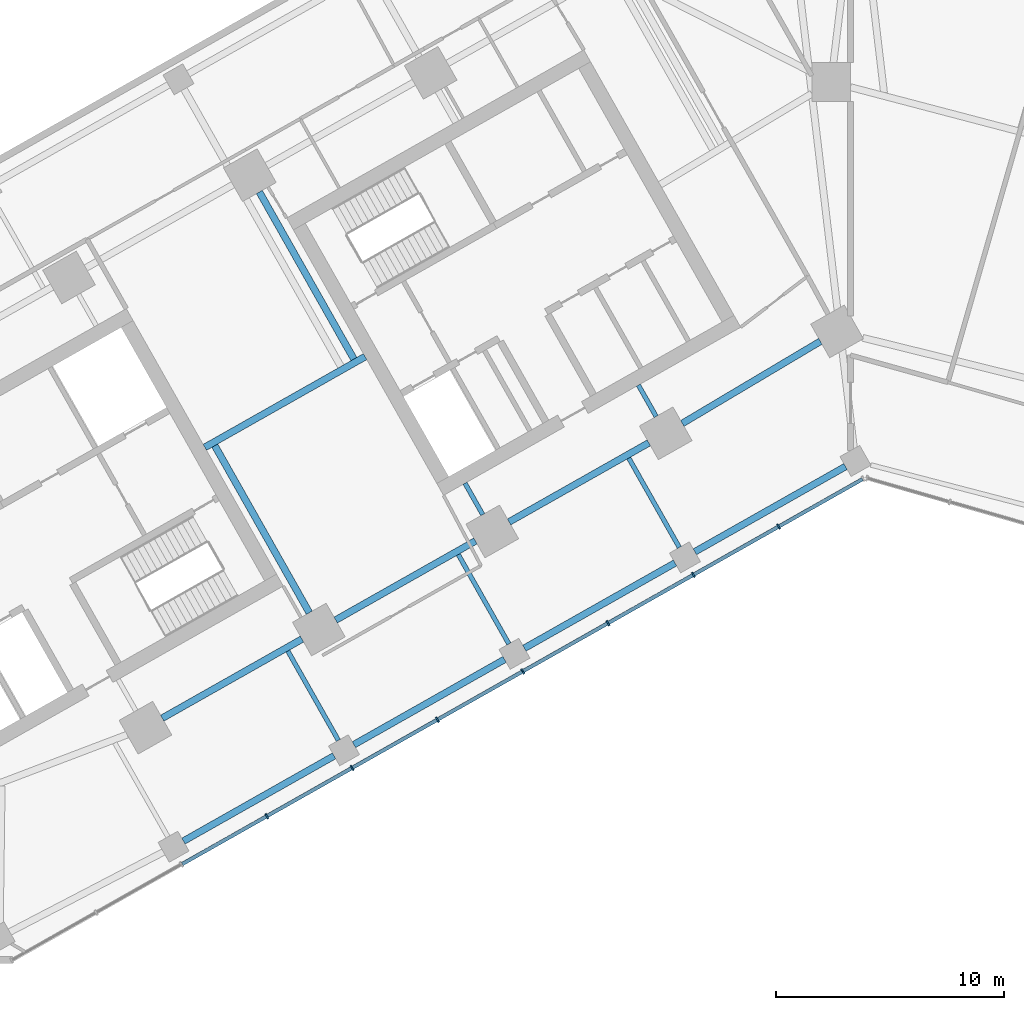
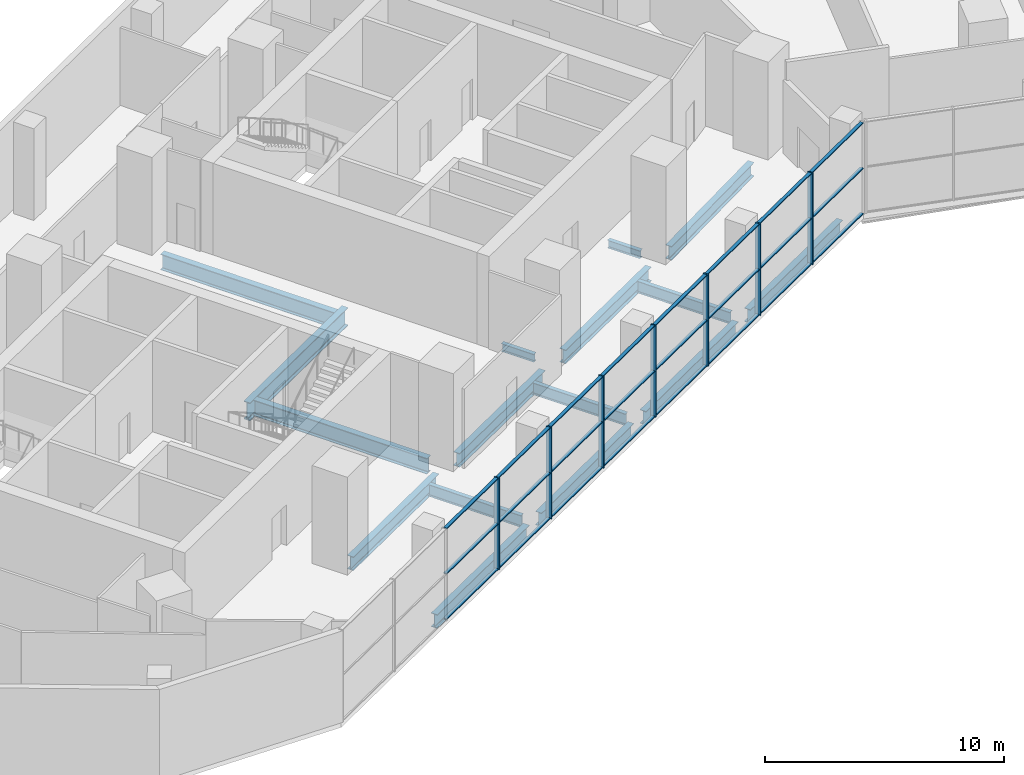
# One storey, part 3 of 16: 31 members, 16 beams, 1 element without a shape of its own.
"""IFC4 building model written with IfcOpenShell, lengths in metres."""

from ifc_helpers import new_model, si_unit, direction, frame, origin, origin_2d, place, context, subcontext, project, spatial, rectangle, i_section, extrude, material, material_profile, profile_set, type_object, element, aggregate, save


model = new_model("IFC4")

# Units and contexts
model_context = context("Model", 3, precision=1e-05, world=origin(), true_north=direction((0.0, 1.0)))
body_context = subcontext(model_context, "Body", "Model", "MODEL_VIEW")
ifc_project = project(units=[si_unit("LENGTHUNIT", "METRE"), si_unit("AREAUNIT", "SQUARE_METRE"), si_unit("VOLUMEUNIT", "CUBIC_METRE"), si_unit("PLANEANGLEUNIT", "RADIAN"), si_unit("MASSUNIT", "GRAM", prefix="KILO")], contexts=[model_context])

# Site, building, storey
site_placement = place(None, origin())
site = spatial("IfcSite", under=ifc_project, at=site_placement, CompositionType="ELEMENT")
building_placement = place(site_placement, origin())
building = spatial("IfcBuilding", under=site, at=building_placement, Name="Binnacle Exchange Tower", CompositionType="ELEMENT")
storey_placement = place(building_placement, frame((0.0, 0.0, 21.5)))
storey = spatial("IfcBuildingStorey", under=building, at=storey_placement, Name="L04", CompositionType="ELEMENT", Elevation=21.5)

# Curtain wall, members
ifc_material_1 = material(Name="Bronze anodised aluminium frame", Category="aluminium")
curtain_wall_type = type_object("IfcCurtainWallType", Name="External wall - curtain wall podium harbour front", PredefinedType="NOTDEFINED", material=ifc_material_1)
curtain_wall_placement = place(storey_placement, origin())
curtain_wall = element("IfcCurtainWall", 1, at=curtain_wall_placement, inside=storey, type_object=curtain_wall_type, Name="External wall curtain wall CW3-P06 L04", PredefinedType="NOTDEFINED")
ifc_material_profile_1 = material_profile(ifc_material_1, rectangle(XDim=0.25, YDim=0.070068359375, at=origin_2d()), Name="AL 70x250")
ifc_profile_set_1 = profile_set([ifc_material_profile_1], Name="Bronze anodised aluminium frame")
member_type_1 = type_object("IfcMemberType", Name="CW3 MULLION 70x250", PredefinedType="MULLION", material=ifc_profile_set_1)
member_1_placement = place(storey_placement, frame((-25.6416015625, 27.747802734375, 0.0), z_axis=(0.0, 0.0, 1.0), x_axis=(-0.492423763004, 0.870355581144, 0.0)))
member_1 = element("IfcMember", 2, at=member_1_placement, type_object=member_type_1, Name="CW3-P06 mullion 4", PredefinedType="MULLION", context=body_context, shape_type="SweptSolid", body=[
    extrude(rectangle(XDim=0.25, YDim=0.070068359375, at=origin_2d()), origin(), (0.0, 0.0, 1.0), 4.679931640625),
])
member_2_placement = place(storey_placement, frame((-21.89404296875, 29.8681640625, 0.0), z_axis=(0.0, 0.0, 1.0), x_axis=(-0.492423763004, 0.870355581144, 0.0)))
member_2 = element("IfcMember", 3, at=member_2_placement, type_object=member_type_1, Name="CW3-P06 mullion 5", PredefinedType="MULLION", context=body_context, shape_type="SweptSolid", body=[
    extrude(rectangle(XDim=0.25, YDim=0.070068359375, at=origin_2d()), origin(), (0.0, 0.0, 1.0), 4.679931640625),
])
member_3_placement = place(storey_placement, frame((-18.146484375, 31.988525390625, 0.0), z_axis=(0.0, 0.0, 1.0), x_axis=(-0.492423763004, 0.870355581144, 0.0)))
member_3 = element("IfcMember", 4, at=member_3_placement, type_object=member_type_1, Name="CW3-P06 mullion 6", PredefinedType="MULLION", context=body_context, shape_type="SweptSolid", body=[
    extrude(rectangle(XDim=0.25, YDim=0.070068359375, at=origin_2d()), origin(), (0.0, 0.0, 1.0), 4.679931640625),
])
member_4_placement = place(storey_placement, frame((-14.39892578125, 34.108642578125, 0.0), z_axis=(0.0, 0.0, 1.0), x_axis=(-0.492423763004, 0.870355581144, 0.0)))
member_4 = element("IfcMember", 5, at=member_4_placement, type_object=member_type_1, Name="CW3-P06 mullion 7", PredefinedType="MULLION", context=body_context, shape_type="SweptSolid", body=[
    extrude(rectangle(XDim=0.25, YDim=0.070068359375, at=origin_2d()), origin(), (0.0, 0.0, 1.0), 4.679931640625),
])
member_5_placement = place(storey_placement, frame((-10.651123046875, 36.22900390625, 0.0), z_axis=(0.0, 0.0, 1.0), x_axis=(-0.492423763004, 0.870355581144, 0.0)))
member_5 = element("IfcMember", 6, at=member_5_placement, type_object=member_type_1, Name="CW3-P06 mullion 8", PredefinedType="MULLION", context=body_context, shape_type="SweptSolid", body=[
    extrude(rectangle(XDim=0.25, YDim=0.070068359375, at=origin_2d()), origin(), (0.0, 0.0, 1.0), 4.679931640625),
])
member_6_placement = place(storey_placement, frame((-6.903564453125, 38.349365234375, 0.0), z_axis=(0.0, 0.0, 1.0), x_axis=(-0.492423763004, 0.870355581144, 0.0)))
member_6 = element("IfcMember", 7, at=member_6_placement, type_object=member_type_1, Name="CW3-P06 mullion 9", PredefinedType="MULLION", context=body_context, shape_type="SweptSolid", body=[
    extrude(rectangle(XDim=0.25, YDim=0.070068359375, at=origin_2d()), origin(), (0.0, 0.0, 1.0), 4.679931640625),
])
member_7_placement = place(storey_placement, frame((-3.156005859375, 40.4697265625, 0.0), z_axis=(0.0, 0.0, 1.0), x_axis=(-0.492423763004, 0.870355581144, 0.0)))
member_7 = element("IfcMember", 8, at=member_7_placement, type_object=member_type_1, Name="CW3-P06 mullion 10", PredefinedType="MULLION", context=body_context, shape_type="SweptSolid", body=[
    extrude(rectangle(XDim=0.25, YDim=0.070068359375, at=origin_2d()), origin(), (0.0, 0.0, 1.0), 4.679931640625),
])
ifc_material_profile_2 = material_profile(ifc_material_1, rectangle(XDim=0.159912109375, YDim=0.050048828125, at=origin_2d()), Name="AL 160x50")
ifc_profile_set_2 = profile_set([ifc_material_profile_2], Name="Bronze anodised aluminium frame")
member_type_2 = type_object("IfcMemberType", Name="CW3 TRANSOM 50x160", PredefinedType="USERDEFINED", material=ifc_profile_set_2)
member_8_placement = place(storey_placement, frame((-29.35888671875, 25.644775390625, 0.02490234375), z_axis=(0.870373844637, 0.49239148101, 0.0), x_axis=(-0.49239148101, 0.870373844637, 0.0)))
member_8 = element("IfcMember", 9, at=member_8_placement, type_object=member_type_2, Name="CW3-P06 transom 3.1", ObjectType="TRANSOM", PredefinedType="USERDEFINED", context=body_context, shape_type="SweptSolid", body=[
    extrude(rectangle(XDim=0.159912109375, YDim=0.050048828125, at=origin_2d()), origin(), (0.0, 0.0, 1.0), 4.23583984375),
])
member_9_placement = place(storey_placement, frame((-29.35888671875, 25.644775390625, 2.340087890625), z_axis=(0.870373844637, 0.49239148101, 0.0), x_axis=(-0.49239148101, 0.870373844637, 0.0)))
member_9 = element("IfcMember", 10, at=member_9_placement, type_object=member_type_2, Name="CW3-P06 transom 3.2", ObjectType="TRANSOM", PredefinedType="USERDEFINED", context=body_context, shape_type="SweptSolid", body=[
    extrude(rectangle(XDim=0.159912109375, YDim=0.050048828125, at=origin_2d()), origin(), (0.0, 0.0, 1.0), 4.23583984375),
])
member_10_placement = place(storey_placement, frame((-29.35888671875, 25.644775390625, 4.655029296875), z_axis=(0.870373844637, 0.49239148101, 0.0), x_axis=(-0.49239148101, 0.870373844637, 0.0)))
member_10 = element("IfcMember", 11, at=member_10_placement, type_object=member_type_2, Name="CW3-P06 transom 3.3", ObjectType="TRANSOM", PredefinedType="USERDEFINED", context=body_context, shape_type="SweptSolid", body=[
    extrude(rectangle(XDim=0.159912109375, YDim=0.050048828125, at=origin_2d()), origin(), (0.0, 0.0, 1.0), 4.23583984375),
])
member_11_placement = place(storey_placement, frame((-25.611083984375, 27.76513671875, 0.02490234375), z_axis=(0.870359869571, 0.492416183162, 0.0), x_axis=(-0.492416183162, 0.870359869571, 0.0)))
member_11 = element("IfcMember", 12, at=member_11_placement, type_object=member_type_2, Name="CW3-P06 transom 4.1", ObjectType="TRANSOM", PredefinedType="USERDEFINED", context=body_context, shape_type="SweptSolid", body=[
    extrude(rectangle(XDim=0.159912109375, YDim=0.050048828125, at=origin_2d()), origin(), (0.0, 0.0, 1.0), 4.235595703125),
])
member_12_placement = place(storey_placement, frame((-25.611083984375, 27.76513671875, 2.340087890625), z_axis=(0.870359869571, 0.492416183162, 0.0), x_axis=(-0.492416183162, 0.870359869571, 0.0)))
member_12 = element("IfcMember", 13, at=member_12_placement, type_object=member_type_2, Name="CW3-P06 transom 4.2", ObjectType="TRANSOM", PredefinedType="USERDEFINED", context=body_context, shape_type="SweptSolid", body=[
    extrude(rectangle(XDim=0.159912109375, YDim=0.050048828125, at=origin_2d()), origin(), (0.0, 0.0, 1.0), 4.235595703125),
])
member_13_placement = place(storey_placement, frame((-25.611083984375, 27.76513671875, 4.655029296875), z_axis=(0.870359869571, 0.492416183162, 0.0), x_axis=(-0.492416183162, 0.870359869571, 0.0)))
member_13 = element("IfcMember", 14, at=member_13_placement, type_object=member_type_2, Name="CW3-P06 transom 4.3", ObjectType="TRANSOM", PredefinedType="USERDEFINED", context=body_context, shape_type="SweptSolid", body=[
    extrude(rectangle(XDim=0.159912109375, YDim=0.050048828125, at=origin_2d()), origin(), (0.0, 0.0, 1.0), 4.235595703125),
])
member_14_placement = place(storey_placement, frame((-21.863525390625, 29.88525390625, 0.02490234375), z_axis=(0.870335165984, 0.492459844912, 0.0), x_axis=(-0.492459844912, 0.870335165984, 0.0)))
member_14 = element("IfcMember", 15, at=member_14_placement, type_object=member_type_2, Name="CW3-P06 transom 5.1", ObjectType="TRANSOM", PredefinedType="USERDEFINED", context=body_context, shape_type="SweptSolid", body=[
    extrude(rectangle(XDim=0.159912109375, YDim=0.050048828125, at=origin_2d()), origin(), (0.0, 0.0, 1.0), 4.23583984375),
])
member_15_placement = place(storey_placement, frame((-21.863525390625, 29.88525390625, 2.340087890625), z_axis=(0.870335165984, 0.492459844912, 0.0), x_axis=(-0.492459844912, 0.870335165984, 0.0)))
member_15 = element("IfcMember", 16, at=member_15_placement, type_object=member_type_2, Name="CW3-P06 transom 5.2", ObjectType="TRANSOM", PredefinedType="USERDEFINED", context=body_context, shape_type="SweptSolid", body=[
    extrude(rectangle(XDim=0.159912109375, YDim=0.050048828125, at=origin_2d()), origin(), (0.0, 0.0, 1.0), 4.23583984375),
])
member_16_placement = place(storey_placement, frame((-21.863525390625, 29.88525390625, 4.655029296875), z_axis=(0.870335165984, 0.492459844912, 0.0), x_axis=(-0.492459844912, 0.870335165984, 0.0)))
member_16 = element("IfcMember", 17, at=member_16_placement, type_object=member_type_2, Name="CW3-P06 transom 5.3", ObjectType="TRANSOM", PredefinedType="USERDEFINED", context=body_context, shape_type="SweptSolid", body=[
    extrude(rectangle(XDim=0.159912109375, YDim=0.050048828125, at=origin_2d()), origin(), (0.0, 0.0, 1.0), 4.23583984375),
])
member_17_placement = place(storey_placement, frame((-18.115966796875, 32.005615234375, 0.02490234375), z_axis=(0.870349143132, 0.492435141972, 0.0), x_axis=(-0.492435141972, 0.870349143132, 0.0)))
member_17 = element("IfcMember", 18, at=member_17_placement, type_object=member_type_2, Name="CW3-P06 transom 6.1", ObjectType="TRANSOM", PredefinedType="USERDEFINED", context=body_context, shape_type="SweptSolid", body=[
    extrude(rectangle(XDim=0.159912109375, YDim=0.050048828125, at=origin_2d()), origin(), (0.0, 0.0, 1.0), 4.236083984375),
])
member_18_placement = place(storey_placement, frame((-18.115966796875, 32.005615234375, 2.340087890625), z_axis=(0.870349143132, 0.492435141972, 0.0), x_axis=(-0.492435141972, 0.870349143132, 0.0)))
member_18 = element("IfcMember", 19, at=member_18_placement, type_object=member_type_2, Name="CW3-P06 transom 6.2", ObjectType="TRANSOM", PredefinedType="USERDEFINED", context=body_context, shape_type="SweptSolid", body=[
    extrude(rectangle(XDim=0.159912109375, YDim=0.050048828125, at=origin_2d()), origin(), (0.0, 0.0, 1.0), 4.236083984375),
])
member_19_placement = place(storey_placement, frame((-18.115966796875, 32.005615234375, 4.655029296875), z_axis=(0.870349143132, 0.492435141972, 0.0), x_axis=(-0.492435141972, 0.870349143132, 0.0)))
member_19 = element("IfcMember", 20, at=member_19_placement, type_object=member_type_2, Name="CW3-P06 transom 6.3", ObjectType="TRANSOM", PredefinedType="USERDEFINED", context=body_context, shape_type="SweptSolid", body=[
    extrude(rectangle(XDim=0.159912109375, YDim=0.050048828125, at=origin_2d()), origin(), (0.0, 0.0, 1.0), 4.236083984375),
])
member_20_placement = place(storey_placement, frame((-14.368408203125, 34.1259765625, 0.02490234375), z_axis=(0.870373844637, 0.49239148101, 0.0), x_axis=(-0.49239148101, 0.870373844637, 0.0)))
member_20 = element("IfcMember", 21, at=member_20_placement, type_object=member_type_2, Name="CW3-P06 transom 7.1", ObjectType="TRANSOM", PredefinedType="USERDEFINED", context=body_context, shape_type="SweptSolid", body=[
    extrude(rectangle(XDim=0.159912109375, YDim=0.050048828125, at=origin_2d()), origin(), (0.0, 0.0, 1.0), 4.23583984375),
])
member_21_placement = place(storey_placement, frame((-14.368408203125, 34.1259765625, 2.340087890625), z_axis=(0.870373844637, 0.49239148101, 0.0), x_axis=(-0.49239148101, 0.870373844637, 0.0)))
member_21 = element("IfcMember", 22, at=member_21_placement, type_object=member_type_2, Name="CW3-P06 transom 7.2", ObjectType="TRANSOM", PredefinedType="USERDEFINED", context=body_context, shape_type="SweptSolid", body=[
    extrude(rectangle(XDim=0.159912109375, YDim=0.050048828125, at=origin_2d()), origin(), (0.0, 0.0, 1.0), 4.23583984375),
])
member_22_placement = place(storey_placement, frame((-14.368408203125, 34.1259765625, 4.655029296875), z_axis=(0.870373844637, 0.49239148101, 0.0), x_axis=(-0.49239148101, 0.870373844637, 0.0)))
member_22 = element("IfcMember", 23, at=member_22_placement, type_object=member_type_2, Name="CW3-P06 transom 7.3", ObjectType="TRANSOM", PredefinedType="USERDEFINED", context=body_context, shape_type="SweptSolid", body=[
    extrude(rectangle(XDim=0.159912109375, YDim=0.050048828125, at=origin_2d()), origin(), (0.0, 0.0, 1.0), 4.23583984375),
])
member_23_placement = place(storey_placement, frame((-10.620849609375, 36.246337890625, 0.02490234375), z_axis=(0.870373844637, 0.49239148101, 0.0), x_axis=(-0.49239148101, 0.870373844637, 0.0)))
member_23 = element("IfcMember", 24, at=member_23_placement, type_object=member_type_2, Name="CW3-P06 transom 8.1", ObjectType="TRANSOM", PredefinedType="USERDEFINED", context=body_context, shape_type="SweptSolid", body=[
    extrude(rectangle(XDim=0.159912109375, YDim=0.050048828125, at=origin_2d()), origin(), (0.0, 0.0, 1.0), 4.23583984375),
])
member_24_placement = place(storey_placement, frame((-10.620849609375, 36.246337890625, 2.340087890625), z_axis=(0.870373844637, 0.49239148101, 0.0), x_axis=(-0.49239148101, 0.870373844637, 0.0)))
member_24 = element("IfcMember", 25, at=member_24_placement, type_object=member_type_2, Name="CW3-P06 transom 8.2", ObjectType="TRANSOM", PredefinedType="USERDEFINED", context=body_context, shape_type="SweptSolid", body=[
    extrude(rectangle(XDim=0.159912109375, YDim=0.050048828125, at=origin_2d()), origin(), (0.0, 0.0, 1.0), 4.23583984375),
])
member_25_placement = place(storey_placement, frame((-10.620849609375, 36.246337890625, 4.655029296875), z_axis=(0.870373844637, 0.49239148101, 0.0), x_axis=(-0.49239148101, 0.870373844637, 0.0)))
member_25 = element("IfcMember", 26, at=member_25_placement, type_object=member_type_2, Name="CW3-P06 transom 8.3", ObjectType="TRANSOM", PredefinedType="USERDEFINED", context=body_context, shape_type="SweptSolid", body=[
    extrude(rectangle(XDim=0.159912109375, YDim=0.050048828125, at=origin_2d()), origin(), (0.0, 0.0, 1.0), 4.23583984375),
])
member_26_placement = place(storey_placement, frame((-6.873046875, 38.366455078125, 0.02490234375), z_axis=(0.870335165984, 0.492459844912, 0.0), x_axis=(-0.492459844912, 0.870335165984, 0.0)))
member_26 = element("IfcMember", 27, at=member_26_placement, type_object=member_type_2, Name="CW3-P06 transom 9.1", ObjectType="TRANSOM", PredefinedType="USERDEFINED", context=body_context, shape_type="SweptSolid", body=[
    extrude(rectangle(XDim=0.159912109375, YDim=0.050048828125, at=origin_2d()), origin(), (0.0, 0.0, 1.0), 4.23583984375),
])
member_27_placement = place(storey_placement, frame((-6.873046875, 38.366455078125, 2.340087890625), z_axis=(0.870335165984, 0.492459844912, 0.0), x_axis=(-0.492459844912, 0.870335165984, 0.0)))
member_27 = element("IfcMember", 28, at=member_27_placement, type_object=member_type_2, Name="CW3-P06 transom 9.2", ObjectType="TRANSOM", PredefinedType="USERDEFINED", context=body_context, shape_type="SweptSolid", body=[
    extrude(rectangle(XDim=0.159912109375, YDim=0.050048828125, at=origin_2d()), origin(), (0.0, 0.0, 1.0), 4.23583984375),
])
member_28_placement = place(storey_placement, frame((-6.873046875, 38.366455078125, 4.655029296875), z_axis=(0.870335165984, 0.492459844912, 0.0), x_axis=(-0.492459844912, 0.870335165984, 0.0)))
member_28 = element("IfcMember", 29, at=member_28_placement, type_object=member_type_2, Name="CW3-P06 transom 9.3", ObjectType="TRANSOM", PredefinedType="USERDEFINED", context=body_context, shape_type="SweptSolid", body=[
    extrude(rectangle(XDim=0.159912109375, YDim=0.050048828125, at=origin_2d()), origin(), (0.0, 0.0, 1.0), 4.23583984375),
])
member_29_placement = place(storey_placement, frame((-3.12548828125, 40.48681640625, 0.02490234375), z_axis=(0.870356022884, 0.492422982231, 0.0), x_axis=(-0.492422982231, 0.870356022884, 0.0)))
member_29 = element("IfcMember", 30, at=member_29_placement, type_object=member_type_2, Name="CW3-P06 transom 10.1", ObjectType="TRANSOM", PredefinedType="USERDEFINED", context=body_context, shape_type="SweptSolid", body=[
    extrude(rectangle(XDim=0.159912109375, YDim=0.050048828125, at=origin_2d()), origin(), (0.0, 0.0, 1.0), 4.200927734375),
])
member_30_placement = place(storey_placement, frame((-3.12548828125, 40.48681640625, 2.340087890625), z_axis=(0.870356022884, 0.492422982231, 0.0), x_axis=(-0.492422982231, 0.870356022884, 0.0)))
member_30 = element("IfcMember", 31, at=member_30_placement, type_object=member_type_2, Name="CW3-P06 transom 10.2", ObjectType="TRANSOM", PredefinedType="USERDEFINED", context=body_context, shape_type="SweptSolid", body=[
    extrude(rectangle(XDim=0.159912109375, YDim=0.050048828125, at=origin_2d()), origin(), (0.0, 0.0, 1.0), 4.200927734375),
])
member_31_placement = place(storey_placement, frame((-3.12548828125, 40.48681640625, 4.655029296875), z_axis=(0.870356022884, 0.492422982231, 0.0), x_axis=(-0.492422982231, 0.870356022884, 0.0)))
member_31 = element("IfcMember", 32, at=member_31_placement, type_object=member_type_2, Name="CW3-P06 transom 10.3", ObjectType="TRANSOM", PredefinedType="USERDEFINED", context=body_context, shape_type="SweptSolid", body=[
    extrude(rectangle(XDim=0.159912109375, YDim=0.050048828125, at=origin_2d()), origin(), (0.0, 0.0, 1.0), 4.200927734375),
])
aggregate(curtain_wall, [member_1, member_2, member_3, member_4, member_5, member_6, member_7, member_8, member_9, member_10, member_11, member_12, member_13, member_14, member_15, member_16, member_17, member_18, member_19, member_20, member_21, member_22, member_23, member_24, member_25, member_26, member_27, member_28, member_29, member_30, member_31])

# Beams
ifc_material_2 = material(Name="Steel S355 (SHN355)", Category="steel")
ifc_material_profile_3 = material_profile(ifc_material_2, i_section(OverallWidth=0.300048828125, OverallDepth=0.699951171875, WebThickness=0.012939453125, FlangeThickness=0.02392578125, FilletRadius=0.028076171875, at=origin_2d()), Name="H 700x300x13x24")
ifc_profile_set_3 = profile_set([ifc_material_profile_3], Name="Steel S355 (SHN355)")
beam_type_1 = type_object("IfcBeamType", Name="Edge girder H 700x300x13x24 Steel S355 (SHN355)", PredefinedType="SPANDREL", material=ifc_profile_set_3)
beam_1_placement = place(storey_placement, frame((-30.23583984375, 32.053955078125, -0.699951171875), z_axis=(0.870373276953, 0.492392484473, 0.0), x_axis=(-0.492392484473, 0.870373276953, 0.0)))
element("IfcBeam", 33, at=beam_1_placement, inside=storey, type_object=beam_type_1, Name="S:BM:edge:L04:028", PredefinedType="SPANDREL", context=body_context, shape_type="SweptSolid", body=[
    extrude(i_section(OverallWidth=0.300048828125, OverallDepth=0.699951171875, WebThickness=0.012939453125, FlangeThickness=0.02392578125, FilletRadius=0.028076171875, at=origin_2d()), origin(), (0.0, 0.0, 1.0), 7.0546875),
])
beam_2_placement = place(storey_placement, frame((-22.68603515625, 30.396728515625, -0.699951171875), z_axis=(-0.870352907673, -0.492428488316, 0.0), x_axis=(0.492428488316, -0.870352907673, 0.0)))
element("IfcBeam", 34, at=beam_2_placement, inside=storey, type_object=beam_type_1, Name="S:BM:edge:L04:032", PredefinedType="SPANDREL", context=body_context, shape_type="SweptSolid", body=[
    extrude(i_section(OverallWidth=0.300048828125, OverallDepth=0.699951171875, WebThickness=0.012939453125, FlangeThickness=0.02392578125, FilletRadius=0.028076171875, at=origin_2d()), origin(), (0.0, 0.0, 1.0), 7.60546875),
])
beam_3_placement = place(storey_placement, frame((-22.6162109375, 36.36474609375, -0.699951171875), z_axis=(0.870350053651, 0.492433532681, 0.0), x_axis=(-0.492433532681, 0.870350053651, 0.0)))
element("IfcBeam", 35, at=beam_3_placement, inside=storey, type_object=beam_type_1, Name="S:BM:edge:L04:033", PredefinedType="SPANDREL", context=body_context, shape_type="SweptSolid", body=[
    extrude(i_section(OverallWidth=0.300048828125, OverallDepth=0.699951171875, WebThickness=0.012939453125, FlangeThickness=0.02392578125, FilletRadius=0.028076171875, at=origin_2d()), origin(), (0.0, 0.0, 1.0), 7.054443359375),
])
beam_4_placement = place(storey_placement, frame((-15.1962890625, 34.63427734375, -0.699951171875), z_axis=(-0.870352907673, -0.492428488316, 0.0), x_axis=(0.492428488316, -0.870352907673, 0.0)))
element("IfcBeam", 36, at=beam_4_placement, inside=storey, type_object=beam_type_1, Name="S:BM:edge:L04:036", PredefinedType="SPANDREL", context=body_context, shape_type="SweptSolid", body=[
    extrude(i_section(OverallWidth=0.300048828125, OverallDepth=0.699951171875, WebThickness=0.012939453125, FlangeThickness=0.02392578125, FilletRadius=0.028076171875, at=origin_2d()), origin(), (0.0, 0.0, 1.0), 7.60546875),
])
beam_5_placement = place(storey_placement, frame((-14.99658203125, 40.67578125, -0.699951171875), z_axis=(0.870364886025, 0.492407316329, 0.0), x_axis=(-0.492407316329, 0.870364886025, 0.0)))
element("IfcBeam", 37, at=beam_5_placement, inside=storey, type_object=beam_type_1, Name="S:BM:edge:L04:037", PredefinedType="SPANDREL", context=body_context, shape_type="SweptSolid", body=[
    extrude(i_section(OverallWidth=0.300048828125, OverallDepth=0.699951171875, WebThickness=0.012939453125, FlangeThickness=0.02392578125, FilletRadius=0.028076171875, at=origin_2d()), origin(), (0.0, 0.0, 1.0), 7.054443359375),
])
beam_6_placement = place(storey_placement, frame((-7.706298828125, 38.871826171875, -0.699951171875), z_axis=(-0.870352907673, -0.492428488316, 0.0), x_axis=(0.492428488316, -0.870352907673, 0.0)))
element("IfcBeam", 38, at=beam_6_placement, inside=storey, type_object=beam_type_1, Name="S:BM:edge:L04:040", PredefinedType="SPANDREL", context=body_context, shape_type="SweptSolid", body=[
    extrude(i_section(OverallWidth=0.300048828125, OverallDepth=0.699951171875, WebThickness=0.012939453125, FlangeThickness=0.02392578125, FilletRadius=0.028076171875, at=origin_2d()), origin(), (0.0, 0.0, 1.0), 7.60546875),
])
beam_7_placement = place(storey_placement, frame((-7.38623046875, 45.002685546875, -0.699951171875), z_axis=(0.859464815262, 0.511194905419, 0.0), x_axis=(-0.511194905419, 0.859464815262, 0.0)))
element("IfcBeam", 39, at=beam_7_placement, inside=storey, type_object=beam_type_1, Name="S:BM:edge:L04:041", PredefinedType="SPANDREL", context=body_context, shape_type="SweptSolid", body=[
    extrude(i_section(OverallWidth=0.300048828125, OverallDepth=0.699951171875, WebThickness=0.012939453125, FlangeThickness=0.02392578125, FilletRadius=0.028076171875, at=origin_2d()), origin(), (0.0, 0.0, 1.0), 7.056396484375),
])
beam_8_placement = place(storey_placement, frame((-0.216552734375, 43.109375, -0.699951171875), z_axis=(-0.870352907673, -0.492428488316, 0.0), x_axis=(0.492428488316, -0.870352907673, 0.0)))
element("IfcBeam", 40, at=beam_8_placement, inside=storey, type_object=beam_type_1, Name="S:BM:edge:L04:044", PredefinedType="SPANDREL", context=body_context, shape_type="SweptSolid", body=[
    extrude(i_section(OverallWidth=0.300048828125, OverallDepth=0.699951171875, WebThickness=0.012939453125, FlangeThickness=0.02392578125, FilletRadius=0.028076171875, at=origin_2d()), origin(), (0.0, 0.0, 1.0), 7.60546875),
])
ifc_material_profile_4 = material_profile(ifc_material_2, i_section(OverallWidth=0.199951171875, OverallDepth=0.39990234375, WebThickness=0.008056640625, FlangeThickness=0.012939453125, FilletRadius=0.01611328125, at=origin_2d()), Name="H 400x200x8x13")
ifc_profile_set_4 = profile_set([ifc_material_profile_4], Name="Steel S355 (SHN355)")
beam_type_2 = type_object("IfcBeamType", Name="Floor beam H 400x200x8x13 Steel S355 (SHN355)", PredefinedType="BEAM", material=ifc_profile_set_4)
beam_9_placement = place(storey_placement, frame((-16.155029296875, 40.9970703125, -0.550048828125), z_axis=(-0.492366981934, 0.870387703901, 0.0), x_axis=(-0.870387703901, -0.492366981934, 0.0)))
element("IfcBeam", 41, at=beam_9_placement, inside=storey, type_object=beam_type_2, Name="S:BM:cross:L04:095", PredefinedType="BEAM", context=body_context, shape_type="SweptSolid", body=[
    extrude(i_section(OverallWidth=0.199951171875, OverallDepth=0.39990234375, WebThickness=0.008056640625, FlangeThickness=0.012939453125, FilletRadius=0.01611328125, at=origin_2d()), origin(), (0.0, 0.0, 1.0), 1.584228515625),
])
beam_10_placement = place(storey_placement, frame((-8.535400390625, 45.307861328125, -0.550048828125), z_axis=(-0.492483715062, 0.870321659158, 0.0), x_axis=(-0.870321659158, -0.492483715062, 0.0)))
element("IfcBeam", 42, at=beam_10_placement, inside=storey, type_object=beam_type_2, Name="S:BM:cross:L04:099", PredefinedType="BEAM", context=body_context, shape_type="SweptSolid", body=[
    extrude(i_section(OverallWidth=0.199951171875, OverallDepth=0.39990234375, WebThickness=0.008056640625, FlangeThickness=0.012939453125, FilletRadius=0.01611328125, at=origin_2d()), origin(), (0.0, 0.0, 1.0), 1.58447265625),
])
ifc_material_profile_5 = material_profile(ifc_material_2, i_section(OverallWidth=0.199951171875, OverallDepth=0.60009765625, WebThickness=0.010986328125, FlangeThickness=0.01708984375, FilletRadius=0.02197265625, at=origin_2d()), Name="H 600x200x11x17")
ifc_profile_set_5 = profile_set([ifc_material_profile_5], Name="Steel S355 (SHN355)")
beam_type_3 = type_object("IfcBeamType", Name="Floor beam H 600x200x11x17 Steel S355 (SHN355)", PredefinedType="BEAM", material=ifc_profile_set_5)
for number, where, z_axis, x_axis, name in (
    (43, (-22.4970703125, 31.078125, -0.64990234375), (-0.492403272389, 0.870367173864, 0.0), (-0.870367173864, -0.492403272389, 0.0), "S:BM:cross:L04:093"),
    (44, (-15.007080078125, 35.315673828125, -0.64990234375), (-0.4924442794, 0.8703439732, 0.0), (-0.8703439732, -0.4924442794, 0.0), "S:BM:cross:L04:096"),
    (45, (-7.517333984375, 39.55322265625, -0.64990234375), (-0.4924442794, 0.8703439732, 0.0), (-0.8703439732, -0.4924442794, 0.0), "S:BM:cross:L04:100"),
):
    element("IfcBeam", number, at=place(storey_placement, frame(where, z_axis=z_axis, x_axis=x_axis)), inside=storey, type_object=beam_type_3, Name=name, PredefinedType="BEAM", context=body_context, shape_type="SweptSolid", body=[
        extrude(i_section(OverallWidth=0.199951171875, OverallDepth=0.60009765625, WebThickness=0.010986328125, FlangeThickness=0.01708984375, FilletRadius=0.02197265625, at=origin_2d()), origin(), (0.0, 0.0, 1.0), 4.510009765625),
    ])
ifc_material_profile_6 = material_profile(ifc_material_2, i_section(OverallWidth=0.302001953125, OverallDepth=0.80810546875, WebThickness=0.01611328125, FlangeThickness=0.030029296875, FilletRadius=0.028076171875, at=origin_2d()), Name="H 808x302x16x30")
ifc_profile_set_6 = profile_set([ifc_material_profile_6], Name="Steel S355 (SHN355)")
beam_type_4 = type_object("IfcBeamType", Name="Floor beam H 808x302x16x30 Steel S355 (SHN355)", PredefinedType="BEAM", material=ifc_profile_set_6)
for number, where, z_axis, x_axis, name in (
    (46, (-25.968994140625, 55.17041015625, -0.75390625), (0.492409177884, -0.870363832851, 0.0), (0.870363832851, 0.492409177884, 0.0), "S:BM:cross:L04:091"),
    (47, (-23.774658203125, 36.68603515625, -0.75390625), (-0.492409177884, 0.870363832851, 0.0), (-0.870363832851, -0.492409177884, 0.0), "S:BM:cross:L04:092"),
):
    element("IfcBeam", number, at=place(storey_placement, frame(where, z_axis=z_axis, x_axis=x_axis)), inside=storey, type_object=beam_type_4, Name=name, PredefinedType="BEAM", context=body_context, shape_type="SweptSolid", body=[
        extrude(i_section(OverallWidth=0.302001953125, OverallDepth=0.80810546875, WebThickness=0.01611328125, FlangeThickness=0.030029296875, FilletRadius=0.028076171875, at=origin_2d()), origin(), (0.0, 0.0, 1.0), 8.43408203125),
    ])
ifc_material_profile_7 = material_profile(ifc_material_2, i_section(OverallWidth=0.302978515625, OverallDepth=0.91796875, WebThickness=0.01904296875, FlangeThickness=0.037109375, FilletRadius=0.028076171875, at=origin_2d()), Name="H 918x303x19x37")
ifc_profile_set_7 = profile_set([ifc_material_profile_7], Name="Steel S355 (SHN355)")
beam_type_5 = type_object("IfcBeamType", Name="Spine girder H 918x303x19x37 Steel S355 (SHN355)", PredefinedType="BEAM", material=ifc_profile_set_7)
beam_11_placement = place(storey_placement, frame((-28.365478515625, 43.951416015625, -0.80908203125), z_axis=(0.870350319004, 0.492433063684, 0.0), x_axis=(-0.492433063684, 0.870350319004, 0.0)))
element("IfcBeam", 48, at=beam_11_placement, inside=storey, type_object=beam_type_5, Name="S:BM:spine:L04:002", PredefinedType="BEAM", context=body_context, shape_type="SweptSolid", body=[
    extrude(i_section(OverallWidth=0.302978515625, OverallDepth=0.91796875, WebThickness=0.01904296875, FlangeThickness=0.037109375, FilletRadius=0.028076171875, at=origin_2d()), origin(), (0.0, 0.0, 1.0), 8.0908203125),
])

save(model, "model.ifc")
